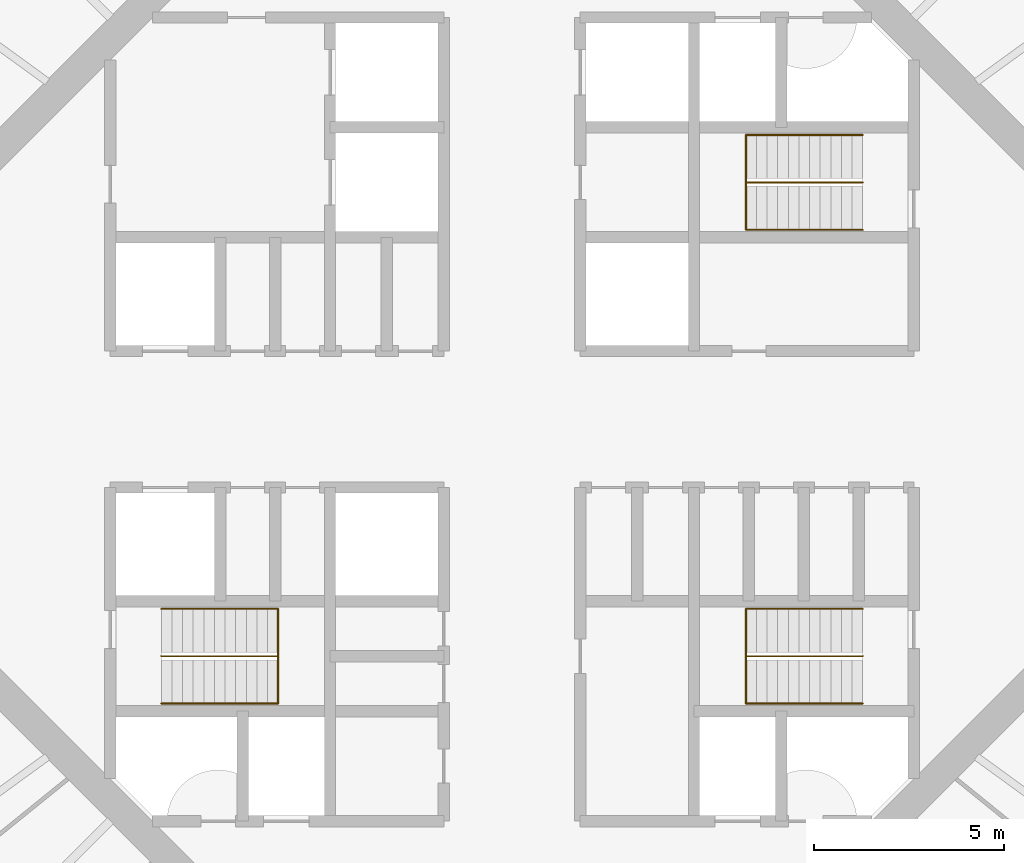
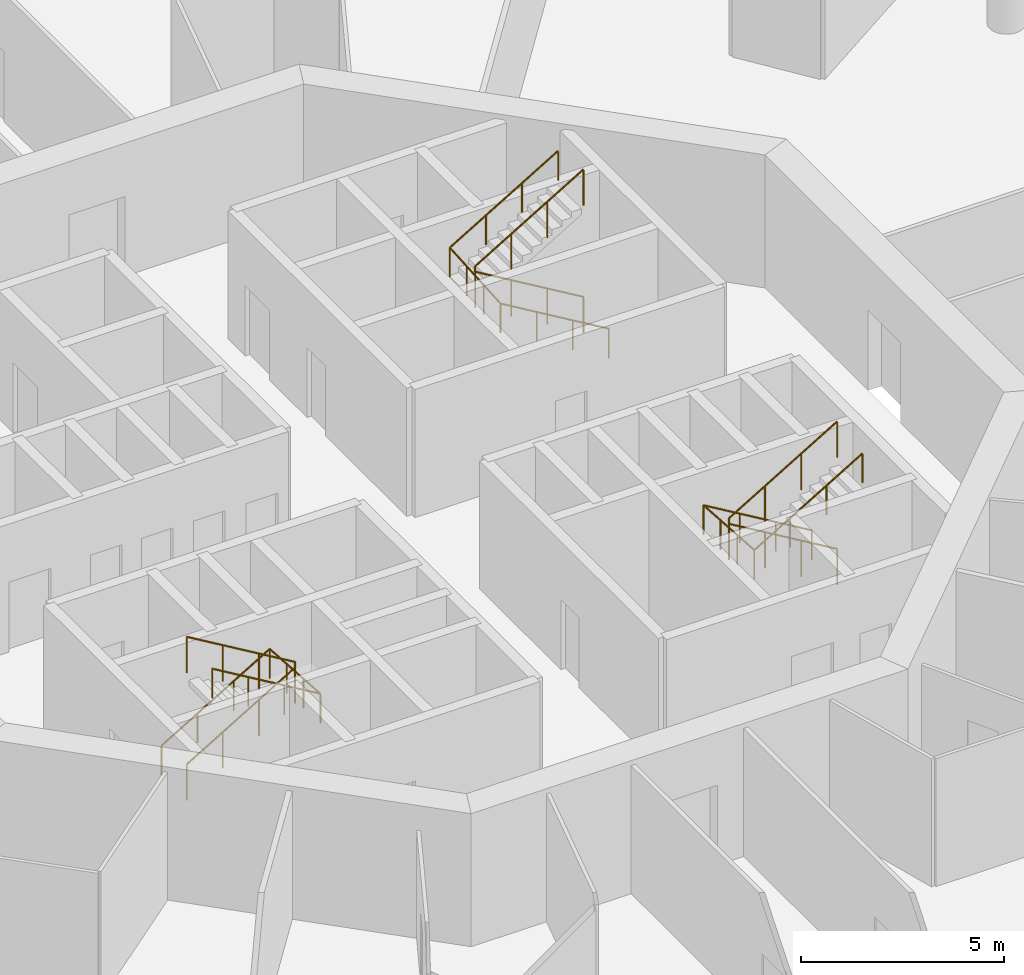
# One storey, part 13 of 13: 6 railings.
"""IFC4 building model written with IfcOpenShell, lengths in metres."""

from ifc_helpers import new_model, si_unit, direction, frame, origin, origin_2d, place, context, subcontext, project, spatial, circle, extrude, material, type_object, element, save


model = new_model("IFC4")

# Units and contexts
model_context = context("Model", 3, precision=1e-05, world=origin(), true_north=direction((0.0, 1.0)))
body_context = subcontext(model_context, "Body", "Model", "MODEL_VIEW")
ifc_project = project(units=[si_unit("LENGTHUNIT", "METRE"), si_unit("AREAUNIT", "SQUARE_METRE"), si_unit("VOLUMEUNIT", "CUBIC_METRE"), si_unit("PLANEANGLEUNIT", "RADIAN"), si_unit("MASSUNIT", "GRAM", prefix="KILO")], contexts=[model_context])

# Site, building, storey
site_placement = place(None, origin())
site = spatial("IfcSite", under=ifc_project, at=site_placement, CompositionType="ELEMENT")
building_placement = place(site_placement, origin())
building = spatial("IfcBuilding", under=site, at=building_placement, Name="Entoto Ring Tower", CompositionType="ELEMENT")
storey_placement = place(building_placement, frame((0.0, 0.0, 286.0)))
storey = spatial("IfcBuildingStorey", under=building, at=storey_placement, Name="L65", CompositionType="ELEMENT", Elevation=286.0)

# Railings
ifc_material_1 = material(Name="Steel S275", Category="steel")
railing_type_1 = type_object("IfcRailingType", Name="Stair guard 1100 mm steel", PredefinedType="GUARDRAIL", material=ifc_material_1)
railing_1_placement = place(storey_placement, frame((99.25, 86.25, 0.166748046875)))
element("IfcRailing", 1, at=railing_1_placement, inside=storey, type_object=railing_type_1, Name="Guard ST1", PredefinedType="GUARDRAIL", context=body_context, shape_type="SweptSolid", body=[
    extrude(circle(Radius=0.02392578125, at=origin_2d()), frame((0.0, 0.0, 1.076171875), z_axis=(-0.859308565015, 0.0, 0.511457515432), x_axis=(0.0, -1.0, 0.0)), (0.0, 0.0, 1.0), 3.58447265625),
    extrude(circle(Radius=0.02392578125, at=origin_2d()), frame((-3.080078125, 0.0, 2.9091796875), z_axis=(0.0, 0.0, 1.0), x_axis=(1.0, 0.0, 0.0)), (0.0, 0.0, 1.0), 0.166748046875),
    extrude(circle(Radius=0.02392578125, at=origin_2d()), frame((-3.080078125, 0.0, 3.076171875), z_axis=(0.859308565015, 0.0, 0.511457515432), x_axis=(0.0, 1.0, 0.0)), (0.0, 0.0, 1.0), 3.58447265625),
    extrude(circle(Radius=0.02099609375, at=origin_2d()), origin(), (0.0, 0.0, 1.0), 1.052001953125),
    extrude(circle(Radius=0.02099609375, at=origin_2d()), frame((-1.026611328125, 0.0, 0.611083984375)), (0.0, 0.0, 1.0), 1.052001953125),
    extrude(circle(Radius=0.02099609375, at=origin_2d()), frame((-2.053466796875, 0.0, 1.22216796875)), (0.0, 0.0, 1.0), 1.052001953125),
    extrude(circle(Radius=0.02099609375, at=origin_2d()), frame((-3.080078125, 0.0, 1.833251953125)), (0.0, 0.0, 1.0), 1.052001953125),
    extrude(circle(Radius=0.02099609375, at=origin_2d()), frame((-3.080078125, 0.0, 2.0)), (0.0, 0.0, 1.0), 1.052001953125),
    extrude(circle(Radius=0.02099609375, at=origin_2d()), frame((-2.053466796875, 0.0, 2.611083984375)), (0.0, 0.0, 1.0), 1.052001953125),
    extrude(circle(Radius=0.02099609375, at=origin_2d()), frame((-1.026611328125, 0.0, 3.22216796875)), (0.0, 0.0, 1.0), 1.052001953125),
    extrude(circle(Radius=0.02099609375, at=origin_2d()), frame((0.0, 0.0, 3.833251953125)), (0.0, 0.0, 1.0), 1.052001953125),
])
railing_2_placement = place(storey_placement, frame((80.75, 73.75, 0.166748046875)))
element("IfcRailing", 2, at=railing_2_placement, inside=storey, type_object=railing_type_1, Name="Guard ST2", PredefinedType="GUARDRAIL", context=body_context, shape_type="SweptSolid", body=[
    extrude(circle(Radius=0.02392578125, at=origin_2d()), frame((0.0, 0.0, 1.076171875), z_axis=(0.859308565015, 0.0, 0.511457515432), x_axis=(0.0, 1.0, 0.0)), (0.0, 0.0, 1.0), 3.58447265625),
    extrude(circle(Radius=0.02392578125, at=origin_2d()), frame((3.080078125, 0.0, 2.9091796875), z_axis=(0.0, 0.0, 1.0), x_axis=(1.0, 0.0, 0.0)), (0.0, 0.0, 1.0), 0.166748046875),
    extrude(circle(Radius=0.02392578125, at=origin_2d()), frame((3.080078125, 0.0, 3.076171875), z_axis=(-0.859308565015, 0.0, 0.511457515432), x_axis=(0.0, -1.0, 0.0)), (0.0, 0.0, 1.0), 3.58447265625),
    extrude(circle(Radius=0.02099609375, at=origin_2d()), origin(), (0.0, 0.0, 1.0), 1.052001953125),
    extrude(circle(Radius=0.02099609375, at=origin_2d()), frame((1.026611328125, 0.0, 0.611083984375)), (0.0, 0.0, 1.0), 1.052001953125),
    extrude(circle(Radius=0.02099609375, at=origin_2d()), frame((2.053466796875, 0.0, 1.22216796875)), (0.0, 0.0, 1.0), 1.052001953125),
    extrude(circle(Radius=0.02099609375, at=origin_2d()), frame((3.080078125, 0.0, 1.833251953125)), (0.0, 0.0, 1.0), 1.052001953125),
    extrude(circle(Radius=0.02099609375, at=origin_2d()), frame((3.080078125, 0.0, 2.0)), (0.0, 0.0, 1.0), 1.052001953125),
    extrude(circle(Radius=0.02099609375, at=origin_2d()), frame((2.053466796875, 0.0, 2.611083984375)), (0.0, 0.0, 1.0), 1.052001953125),
    extrude(circle(Radius=0.02099609375, at=origin_2d()), frame((1.026611328125, 0.0, 3.22216796875)), (0.0, 0.0, 1.0), 1.052001953125),
    extrude(circle(Radius=0.02099609375, at=origin_2d()), frame((0.0, 0.0, 3.833251953125)), (0.0, 0.0, 1.0), 1.052001953125),
])
railing_3_placement = place(storey_placement, frame((99.25, 73.75, 0.166748046875)))
element("IfcRailing", 3, at=railing_3_placement, inside=storey, type_object=railing_type_1, Name="Guard ST3", PredefinedType="GUARDRAIL", context=body_context, shape_type="SweptSolid", body=[
    extrude(circle(Radius=0.02392578125, at=origin_2d()), frame((0.0, 0.0, 1.076171875), z_axis=(-0.859308565015, 0.0, 0.511457515432), x_axis=(0.0, -1.0, 0.0)), (0.0, 0.0, 1.0), 3.58447265625),
    extrude(circle(Radius=0.02392578125, at=origin_2d()), frame((-3.080078125, 0.0, 2.9091796875), z_axis=(0.0, 0.0, 1.0), x_axis=(1.0, 0.0, 0.0)), (0.0, 0.0, 1.0), 0.166748046875),
    extrude(circle(Radius=0.02392578125, at=origin_2d()), frame((-3.080078125, 0.0, 3.076171875), z_axis=(0.859308565015, 0.0, 0.511457515432), x_axis=(0.0, 1.0, 0.0)), (0.0, 0.0, 1.0), 3.58447265625),
    extrude(circle(Radius=0.02099609375, at=origin_2d()), origin(), (0.0, 0.0, 1.0), 1.052001953125),
    extrude(circle(Radius=0.02099609375, at=origin_2d()), frame((-1.026611328125, 0.0, 0.611083984375)), (0.0, 0.0, 1.0), 1.052001953125),
    extrude(circle(Radius=0.02099609375, at=origin_2d()), frame((-2.053466796875, 0.0, 1.22216796875)), (0.0, 0.0, 1.0), 1.052001953125),
    extrude(circle(Radius=0.02099609375, at=origin_2d()), frame((-3.080078125, 0.0, 1.833251953125)), (0.0, 0.0, 1.0), 1.052001953125),
    extrude(circle(Radius=0.02099609375, at=origin_2d()), frame((-3.080078125, 0.0, 2.0)), (0.0, 0.0, 1.0), 1.052001953125),
    extrude(circle(Radius=0.02099609375, at=origin_2d()), frame((-2.053466796875, 0.0, 2.611083984375)), (0.0, 0.0, 1.0), 1.052001953125),
    extrude(circle(Radius=0.02099609375, at=origin_2d()), frame((-1.026611328125, 0.0, 3.22216796875)), (0.0, 0.0, 1.0), 1.052001953125),
    extrude(circle(Radius=0.02099609375, at=origin_2d()), frame((0.0, 0.0, 3.833251953125)), (0.0, 0.0, 1.0), 1.052001953125),
])
ifc_material_2 = material(Name="Steel S275", Category="steel")
railing_type_2 = type_object("IfcRailingType", Name="Stair handrail 900 mm steel", PredefinedType="HANDRAIL", material=ifc_material_2)
railing_4_placement = place(storey_placement, frame((99.25, 85.0, 0.166748046875)))
element("IfcRailing", 4, at=railing_4_placement, inside=storey, type_object=railing_type_2, Name="Handrail ST1", PredefinedType="HANDRAIL", context=body_context, shape_type="SweptSolid", body=[
    extrude(circle(Radius=0.02392578125, at=origin_2d()), frame((0.0, 0.0, 0.8759765625), z_axis=(-0.859308565015, 0.0, 0.511457515432), x_axis=(0.0, -1.0, 0.0)), (0.0, 0.0, 1.0), 3.58447265625),
    extrude(circle(Radius=0.02392578125, at=origin_2d()), frame((-3.080078125, 0.0, 2.708984375), z_axis=(0.0, 0.997783001586, 0.066551346688), x_axis=(-1.0, 0.0, 0.0)), (0.0, 0.0, 1.0), 2.505615234375),
    extrude(circle(Radius=0.02392578125, at=origin_2d()), frame((-3.080078125, 2.5, 2.8759765625), z_axis=(0.859308565015, 0.0, 0.511457515432), x_axis=(0.0, 1.0, 0.0)), (0.0, 0.0, 1.0), 3.58447265625),
    extrude(circle(Radius=0.02099609375, at=origin_2d()), origin(), (0.0, 0.0, 1.0), 0.851806640625),
    extrude(circle(Radius=0.02099609375, at=origin_2d()), frame((-1.026611328125, 0.0, 0.611083984375)), (0.0, 0.0, 1.0), 0.851806640625),
    extrude(circle(Radius=0.02099609375, at=origin_2d()), frame((-2.053466796875, 0.0, 1.22216796875)), (0.0, 0.0, 1.0), 0.851806640625),
    extrude(circle(Radius=0.02099609375, at=origin_2d()), frame((-3.080078125, 0.0, 1.833251953125)), (0.0, 0.0, 1.0), 0.851806640625),
    extrude(circle(Radius=0.02099609375, at=origin_2d()), frame((-3.080078125, 0.833251953125, 1.888916015625)), (0.0, 0.0, 1.0), 0.851806640625),
    extrude(circle(Radius=0.02099609375, at=origin_2d()), frame((-3.080078125, 1.666748046875, 1.9443359375)), (0.0, 0.0, 1.0), 0.851806640625),
    extrude(circle(Radius=0.02099609375, at=origin_2d()), frame((-3.080078125, 2.5, 2.0)), (0.0, 0.0, 1.0), 0.851806640625),
    extrude(circle(Radius=0.02099609375, at=origin_2d()), frame((-2.053466796875, 2.5, 2.611083984375)), (0.0, 0.0, 1.0), 0.851806640625),
    extrude(circle(Radius=0.02099609375, at=origin_2d()), frame((-1.026611328125, 2.5, 3.22216796875)), (0.0, 0.0, 1.0), 0.851806640625),
    extrude(circle(Radius=0.02099609375, at=origin_2d()), frame((0.0, 2.5, 3.833251953125)), (0.0, 0.0, 1.0), 0.851806640625),
])
railing_5_placement = place(storey_placement, frame((80.75, 75.0, 0.166748046875)))
element("IfcRailing", 5, at=railing_5_placement, inside=storey, type_object=railing_type_2, Name="Handrail ST2", PredefinedType="HANDRAIL", context=body_context, shape_type="SweptSolid", body=[
    extrude(circle(Radius=0.02392578125, at=origin_2d()), frame((0.0, 0.0, 0.8759765625), z_axis=(0.859308565015, 0.0, 0.511457515432), x_axis=(0.0, 1.0, 0.0)), (0.0, 0.0, 1.0), 3.58447265625),
    extrude(circle(Radius=0.02392578125, at=origin_2d()), frame((3.080078125, 0.0, 2.708984375), z_axis=(0.0, -0.997783001586, 0.066551346688), x_axis=(1.0, 0.0, 0.0)), (0.0, 0.0, 1.0), 2.505615234375),
    extrude(circle(Radius=0.02392578125, at=origin_2d()), frame((3.080078125, -2.5, 2.8759765625), z_axis=(-0.859308565015, 0.0, 0.511457515432), x_axis=(0.0, -1.0, 0.0)), (0.0, 0.0, 1.0), 3.58447265625),
    extrude(circle(Radius=0.02099609375, at=origin_2d()), origin(), (0.0, 0.0, 1.0), 0.851806640625),
    extrude(circle(Radius=0.02099609375, at=origin_2d()), frame((1.026611328125, 0.0, 0.611083984375)), (0.0, 0.0, 1.0), 0.851806640625),
    extrude(circle(Radius=0.02099609375, at=origin_2d()), frame((2.053466796875, 0.0, 1.22216796875)), (0.0, 0.0, 1.0), 0.851806640625),
    extrude(circle(Radius=0.02099609375, at=origin_2d()), frame((3.080078125, 0.0, 1.833251953125)), (0.0, 0.0, 1.0), 0.851806640625),
    extrude(circle(Radius=0.02099609375, at=origin_2d()), frame((3.080078125, -0.833251953125, 1.888916015625)), (0.0, 0.0, 1.0), 0.851806640625),
    extrude(circle(Radius=0.02099609375, at=origin_2d()), frame((3.080078125, -1.666748046875, 1.9443359375)), (0.0, 0.0, 1.0), 0.851806640625),
    extrude(circle(Radius=0.02099609375, at=origin_2d()), frame((3.080078125, -2.5, 2.0)), (0.0, 0.0, 1.0), 0.851806640625),
    extrude(circle(Radius=0.02099609375, at=origin_2d()), frame((2.053466796875, -2.5, 2.611083984375)), (0.0, 0.0, 1.0), 0.851806640625),
    extrude(circle(Radius=0.02099609375, at=origin_2d()), frame((1.026611328125, -2.5, 3.22216796875)), (0.0, 0.0, 1.0), 0.851806640625),
    extrude(circle(Radius=0.02099609375, at=origin_2d()), frame((0.0, -2.5, 3.833251953125)), (0.0, 0.0, 1.0), 0.851806640625),
])
railing_6_placement = place(storey_placement, frame((99.25, 75.0, 0.166748046875)))
element("IfcRailing", 6, at=railing_6_placement, inside=storey, type_object=railing_type_2, Name="Handrail ST3", PredefinedType="HANDRAIL", context=body_context, shape_type="SweptSolid", body=[
    extrude(circle(Radius=0.02392578125, at=origin_2d()), frame((0.0, 0.0, 0.8759765625), z_axis=(-0.859308565015, 0.0, 0.511457515432), x_axis=(0.0, -1.0, 0.0)), (0.0, 0.0, 1.0), 3.58447265625),
    extrude(circle(Radius=0.02392578125, at=origin_2d()), frame((-3.080078125, 0.0, 2.708984375), z_axis=(0.0, -0.997783001586, 0.066551346688), x_axis=(1.0, 0.0, 0.0)), (0.0, 0.0, 1.0), 2.505615234375),
    extrude(circle(Radius=0.02392578125, at=origin_2d()), frame((-3.080078125, -2.5, 2.8759765625), z_axis=(0.859308565015, 0.0, 0.511457515432), x_axis=(0.0, 1.0, 0.0)), (0.0, 0.0, 1.0), 3.58447265625),
    extrude(circle(Radius=0.02099609375, at=origin_2d()), origin(), (0.0, 0.0, 1.0), 0.851806640625),
    extrude(circle(Radius=0.02099609375, at=origin_2d()), frame((-1.026611328125, 0.0, 0.611083984375)), (0.0, 0.0, 1.0), 0.851806640625),
    extrude(circle(Radius=0.02099609375, at=origin_2d()), frame((-2.053466796875, 0.0, 1.22216796875)), (0.0, 0.0, 1.0), 0.851806640625),
    extrude(circle(Radius=0.02099609375, at=origin_2d()), frame((-3.080078125, 0.0, 1.833251953125)), (0.0, 0.0, 1.0), 0.851806640625),
    extrude(circle(Radius=0.02099609375, at=origin_2d()), frame((-3.080078125, -0.833251953125, 1.888916015625)), (0.0, 0.0, 1.0), 0.851806640625),
    extrude(circle(Radius=0.02099609375, at=origin_2d()), frame((-3.080078125, -1.666748046875, 1.9443359375)), (0.0, 0.0, 1.0), 0.851806640625),
    extrude(circle(Radius=0.02099609375, at=origin_2d()), frame((-3.080078125, -2.5, 2.0)), (0.0, 0.0, 1.0), 0.851806640625),
    extrude(circle(Radius=0.02099609375, at=origin_2d()), frame((-2.053466796875, -2.5, 2.611083984375)), (0.0, 0.0, 1.0), 0.851806640625),
    extrude(circle(Radius=0.02099609375, at=origin_2d()), frame((-1.026611328125, -2.5, 3.22216796875)), (0.0, 0.0, 1.0), 0.851806640625),
    extrude(circle(Radius=0.02099609375, at=origin_2d()), frame((0.0, -2.5, 3.833251953125)), (0.0, 0.0, 1.0), 0.851806640625),
])

save(model, "model.ifc")
